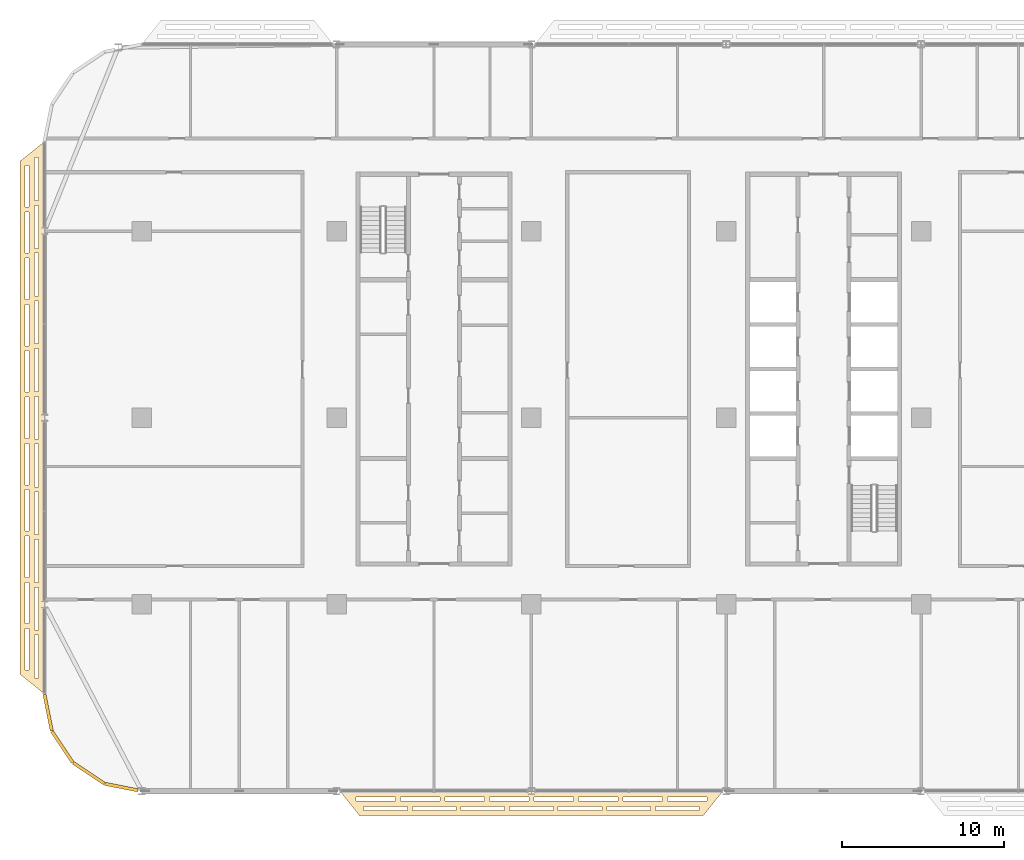
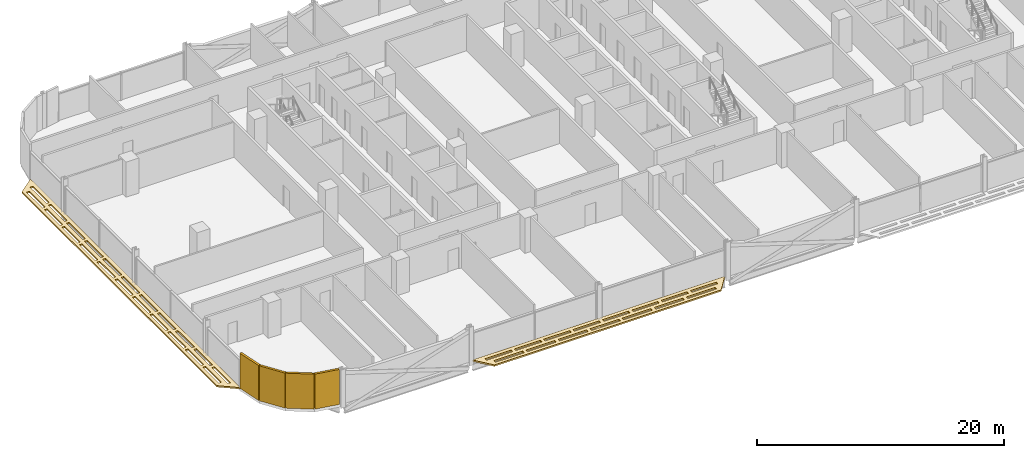
# One storey, part 22 of 27: 6 coverings.
"""IFC4 building model written with IfcOpenShell, lengths in metres."""

from ifc_helpers import new_model, si_unit, direction, frame, origin, origin_2d, place, context, subcontext, project, spatial, polyline, rectangle, outline, extrude, material, layer, layer_set, type_object, element, save


model = new_model("IFC4")

# Units and contexts
model_context = context("Model", 3, precision=1e-05, world=origin(), true_north=direction((0.0, 1.0)))
body_context = subcontext(model_context, "Body", "Model", "MODEL_VIEW")
ifc_project = project(units=[si_unit("LENGTHUNIT", "METRE"), si_unit("AREAUNIT", "SQUARE_METRE"), si_unit("VOLUMEUNIT", "CUBIC_METRE"), si_unit("PLANEANGLEUNIT", "RADIAN"), si_unit("MASSUNIT", "GRAM", prefix="KILO")], contexts=[model_context])

# Site, building, storey
site_placement = place(None, origin())
site = spatial("IfcSite", under=ifc_project, at=site_placement, CompositionType="ELEMENT")
building_placement = place(site_placement, origin())
building = spatial("IfcBuilding", under=site, at=building_placement, Name="Mahtab Terrace Research Tower", CompositionType="ELEMENT")
storey_placement = place(building_placement, frame((0.0, 0.0, 182.0)))
storey = spatial("IfcBuildingStorey", under=building, at=storey_placement, Name="L43", CompositionType="ELEMENT", Elevation=182.0)

# Coverings
ifc_material_1 = material(Name="Black aluminium cladding panel", Category="aluminium")
ifc_layer_1 = layer(ifc_material_1, 0.199951171875)
ifc_layer_set_1 = layer_set([ifc_layer_1], Name="Black metal corner cladding 200")
covering_type_1 = type_object("IfcCoveringType", Name="Black metal corner cladding 200", PredefinedType="CLADDING", material=ifc_layer_set_1)
for number, where, z_axis, x_axis, name in (
    (1, (-47.771484375, -18.14794921875, 0.0), (0.0, 0.0, 1.0), (0.195212442692, -0.980760981187, 0.0), "Corner cladding L43 19"),
    (2, (-46.89306640625, -20.26953125, 0.0), (0.0, 0.0, 1.0), (0.555291490808, -0.831655794326, 0.0), "Corner cladding L43 20"),
    (3, (-45.26953125, -21.89306640625, 0.0), (0.0, 0.0, 1.0), (0.831655794326, -0.555291490808, 0.0), "Corner cladding L43 21"),
):
    element("IfcCovering", number, at=place(storey_placement, frame(where, z_axis=z_axis, x_axis=x_axis)), inside=storey, type_object=covering_type_1, Name=name, PredefinedType="CLADDING", context=body_context, shape_type="SweptSolid", body=[
        extrude(rectangle(XDim=2.30126953125, YDim=0.199951171875, at=origin_2d()), origin(), (0.0, 0.0, 1.0), 3.4599609375),
    ])
covering_1_placement = place(storey_placement, frame((-43.25830078125, -22.74951171875, 0.0), z_axis=(0.0, 0.0, 1.0), x_axis=(0.980760981187, -0.195212442692, 0.0)))
element("IfcCovering", 4, at=covering_1_placement, inside=storey, type_object=covering_type_1, Name="Corner cladding L43 22", PredefinedType="CLADDING", context=body_context, shape_type="SweptSolid", body=[
    extrude(rectangle(XDim=2.07666015625, YDim=0.199951171875, at=origin_2d()), origin(), (0.0, 0.0, 1.0), 3.4599609375),
])
ifc_material_2 = material(Name="Black anodised aluminium", Category="aluminium")
ifc_layer_2 = layer(ifc_material_2, 0.14990234375)
ifc_layer_set_2 = layer_set([ifc_layer_2], Name="Horizontal sunshade band")
covering_type_2 = type_object("IfcCoveringType", Name="Horizontal sunshade band", PredefinedType="CLADDING", material=ifc_layer_set_2)
covering_2_placement = place(storey_placement, frame((0.0, 0.0, -0.14990234375)))
element("IfcCovering", 5, at=covering_2_placement, inside=storey, type_object=covering_type_2, Name="Sunshade band L43 15", PredefinedType="CLADDING", context=body_context, shape_type="SweptSolid", body=[
    extrude(outline(polyline([(-48.0, 17.0), (-48.0, -17.0), (-49.5, -15.800048828125), (-49.5, 15.800048828125), (-48.0, 17.0)]), holes=[polyline([(-48.35009765625, 16.02001953125), (-48.35009765625, 13.3798828125), (-48.60009765625, 13.3798828125), (-48.60009765625, 16.02001953125), (-48.35009765625, 16.02001953125)]), polyline([(-48.35009765625, 13.080078125), (-48.35009765625, 10.43994140625), (-48.60009765625, 10.43994140625), (-48.60009765625, 13.080078125), (-48.35009765625, 13.080078125)]), polyline([(-48.35009765625, 10.139892578125), (-48.35009765625, 7.5), (-48.60009765625, 7.5), (-48.60009765625, 10.139892578125), (-48.35009765625, 10.139892578125)]), polyline([(-48.35009765625, 7.199951171875), (-48.35009765625, 4.56005859375), (-48.60009765625, 4.56005859375), (-48.60009765625, 7.199951171875), (-48.35009765625, 7.199951171875)]), polyline([(-48.35009765625, 4.260009765625), (-48.35009765625, 1.6201171875), (-48.60009765625, 1.6201171875), (-48.60009765625, 4.260009765625), (-48.35009765625, 4.260009765625)]), polyline([(-48.35009765625, 1.320068359375), (-48.35009765625, -1.320068359375), (-48.60009765625, -1.320068359375), (-48.60009765625, 1.320068359375), (-48.35009765625, 1.320068359375)]), polyline([(-48.35009765625, -1.6201171875), (-48.35009765625, -4.260009765625), (-48.60009765625, -4.260009765625), (-48.60009765625, -1.6201171875), (-48.35009765625, -1.6201171875)]), polyline([(-48.35009765625, -4.56005859375), (-48.35009765625, -7.199951171875), (-48.60009765625, -7.199951171875), (-48.60009765625, -4.56005859375), (-48.35009765625, -4.56005859375)]), polyline([(-48.35009765625, -7.5), (-48.35009765625, -10.139892578125), (-48.60009765625, -10.139892578125), (-48.60009765625, -7.5), (-48.35009765625, -7.5)]), polyline([(-48.35009765625, -10.43994140625), (-48.35009765625, -13.080078125), (-48.60009765625, -13.080078125), (-48.60009765625, -10.43994140625), (-48.35009765625, -10.43994140625)]), polyline([(-48.35009765625, -13.3798828125), (-48.35009765625, -16.02001953125), (-48.60009765625, -16.02001953125), (-48.60009765625, -13.3798828125), (-48.35009765625, -13.3798828125)]), polyline([(-48.949951171875, 15.5400390625), (-48.949951171875, 12.987060546875), (-49.199951171875, 12.987060546875), (-49.199951171875, 15.5400390625), (-48.949951171875, 15.5400390625)]), polyline([(-48.949951171875, 12.68701171875), (-48.949951171875, 10.135009765625), (-49.199951171875, 10.135009765625), (-49.199951171875, 12.68701171875), (-48.949951171875, 12.68701171875)]), polyline([(-48.949951171875, 9.8349609375), (-48.949951171875, 7.281982421875), (-49.199951171875, 7.281982421875), (-49.199951171875, 9.8349609375), (-48.949951171875, 9.8349609375)]), polyline([(-48.949951171875, 6.98193359375), (-48.949951171875, 4.428955078125), (-49.199951171875, 4.428955078125), (-49.199951171875, 6.98193359375), (-48.949951171875, 6.98193359375)]), polyline([(-48.949951171875, 4.12890625), (-48.949951171875, 1.575927734375), (-49.199951171875, 1.575927734375), (-49.199951171875, 4.12890625), (-48.949951171875, 4.12890625)]), polyline([(-48.949951171875, 1.27587890625), (-48.949951171875, -1.27587890625), (-49.199951171875, -1.27587890625), (-49.199951171875, 1.27587890625), (-48.949951171875, 1.27587890625)]), polyline([(-48.949951171875, -1.575927734375), (-48.949951171875, -4.12890625), (-49.199951171875, -4.12890625), (-49.199951171875, -1.575927734375), (-48.949951171875, -1.575927734375)]), polyline([(-48.949951171875, -4.428955078125), (-48.949951171875, -6.98193359375), (-49.199951171875, -6.98193359375), (-49.199951171875, -4.428955078125), (-48.949951171875, -4.428955078125)]), polyline([(-48.949951171875, -7.281982421875), (-48.949951171875, -9.8349609375), (-49.199951171875, -9.8349609375), (-49.199951171875, -7.281982421875), (-48.949951171875, -7.281982421875)]), polyline([(-48.949951171875, -10.135009765625), (-48.949951171875, -12.68701171875), (-49.199951171875, -12.68701171875), (-49.199951171875, -10.135009765625), (-48.949951171875, -10.135009765625)]), polyline([(-48.949951171875, -12.987060546875), (-48.949951171875, -15.5400390625), (-49.199951171875, -15.5400390625), (-49.199951171875, -12.987060546875), (-48.949951171875, -12.987060546875)])]), origin(), (0.0, 0.0, 1.0), 0.14990234375),
])
covering_3_placement = place(storey_placement, frame((0.0, 0.0, -0.14990234375)))
element("IfcCovering", 6, at=covering_3_placement, inside=storey, type_object=covering_type_2, Name="Sunshade band L43 24", PredefinedType="CLADDING", context=body_context, shape_type="SweptSolid", body=[
    extrude(outline(polyline([(-29.7919921875, -23.0), (-6.2080078125, -23.0), (-7.407958984375, -24.5), (-28.592041015625, -24.5), (-29.7919921875, -23.0)]), holes=[polyline([(-28.81201171875, -23.35009765625), (-26.3720703125, -23.35009765625), (-26.3720703125, -23.60009765625), (-28.81201171875, -23.60009765625), (-28.81201171875, -23.35009765625)]), polyline([(-26.072021484375, -23.35009765625), (-23.631103515625, -23.35009765625), (-23.631103515625, -23.60009765625), (-26.072021484375, -23.60009765625), (-26.072021484375, -23.35009765625)]), polyline([(-23.3310546875, -23.35009765625), (-20.889892578125, -23.35009765625), (-20.889892578125, -23.60009765625), (-23.3310546875, -23.60009765625), (-23.3310546875, -23.35009765625)]), polyline([(-20.590087890625, -23.35009765625), (-18.14990234375, -23.35009765625), (-18.14990234375, -23.60009765625), (-20.590087890625, -23.60009765625), (-20.590087890625, -23.35009765625)]), polyline([(-17.85009765625, -23.35009765625), (-15.409912109375, -23.35009765625), (-15.409912109375, -23.60009765625), (-17.85009765625, -23.60009765625), (-17.85009765625, -23.35009765625)]), polyline([(-15.10888671875, -23.35009765625), (-12.6689453125, -23.35009765625), (-12.6689453125, -23.60009765625), (-15.10888671875, -23.60009765625), (-15.10888671875, -23.35009765625)]), polyline([(-12.368896484375, -23.35009765625), (-9.927978515625, -23.35009765625), (-9.927978515625, -23.60009765625), (-12.368896484375, -23.60009765625), (-12.368896484375, -23.35009765625)]), polyline([(-9.62890625, -23.35009765625), (-7.18798828125, -23.35009765625), (-7.18798828125, -23.60009765625), (-9.62890625, -23.60009765625), (-9.62890625, -23.35009765625)]), polyline([(-28.33203125, -23.949951171875), (-25.636962890625, -23.949951171875), (-25.636962890625, -24.199951171875), (-28.33203125, -24.199951171875), (-28.33203125, -23.949951171875)]), polyline([(-25.3369140625, -23.949951171875), (-22.64208984375, -23.949951171875), (-22.64208984375, -24.199951171875), (-25.3369140625, -24.199951171875), (-25.3369140625, -23.949951171875)]), polyline([(-22.342041015625, -23.949951171875), (-19.64697265625, -23.949951171875), (-19.64697265625, -24.199951171875), (-22.342041015625, -24.199951171875), (-22.342041015625, -23.949951171875)]), polyline([(-19.346923828125, -23.949951171875), (-16.653076171875, -23.949951171875), (-16.653076171875, -24.199951171875), (-19.346923828125, -24.199951171875), (-19.346923828125, -23.949951171875)]), polyline([(-16.35302734375, -23.949951171875), (-13.657958984375, -23.949951171875), (-13.657958984375, -24.199951171875), (-16.35302734375, -24.199951171875), (-16.35302734375, -23.949951171875)]), polyline([(-13.35791015625, -23.949951171875), (-10.6630859375, -23.949951171875), (-10.6630859375, -24.199951171875), (-13.35791015625, -24.199951171875), (-13.35791015625, -23.949951171875)]), polyline([(-10.363037109375, -23.949951171875), (-7.66796875, -23.949951171875), (-7.66796875, -24.199951171875), (-10.363037109375, -24.199951171875), (-10.363037109375, -23.949951171875)])]), origin(), (0.0, 0.0, 1.0), 0.14990234375),
])

save(model, "model.ifc")
